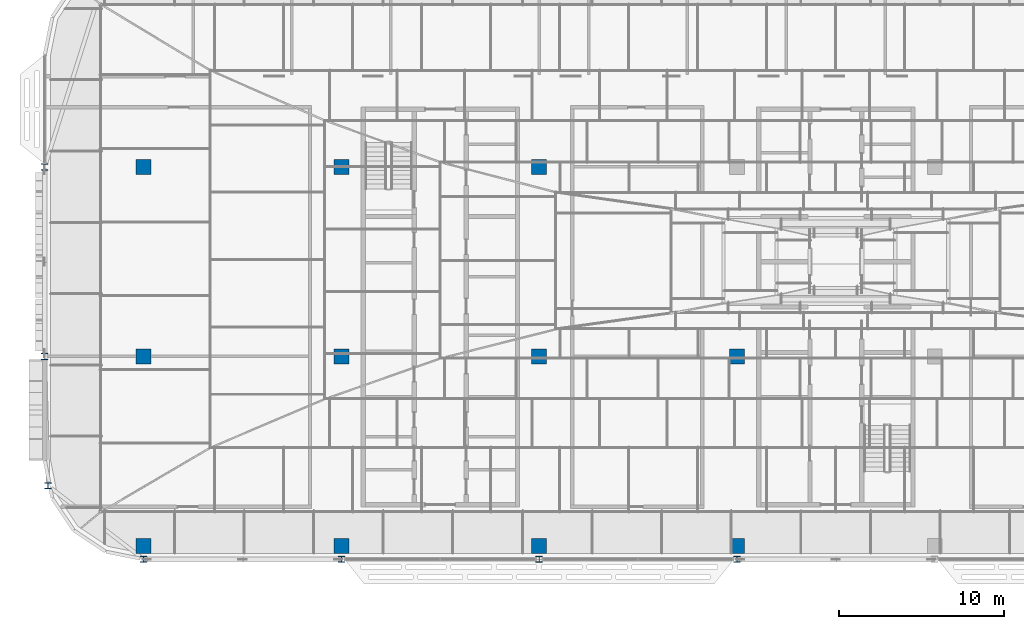
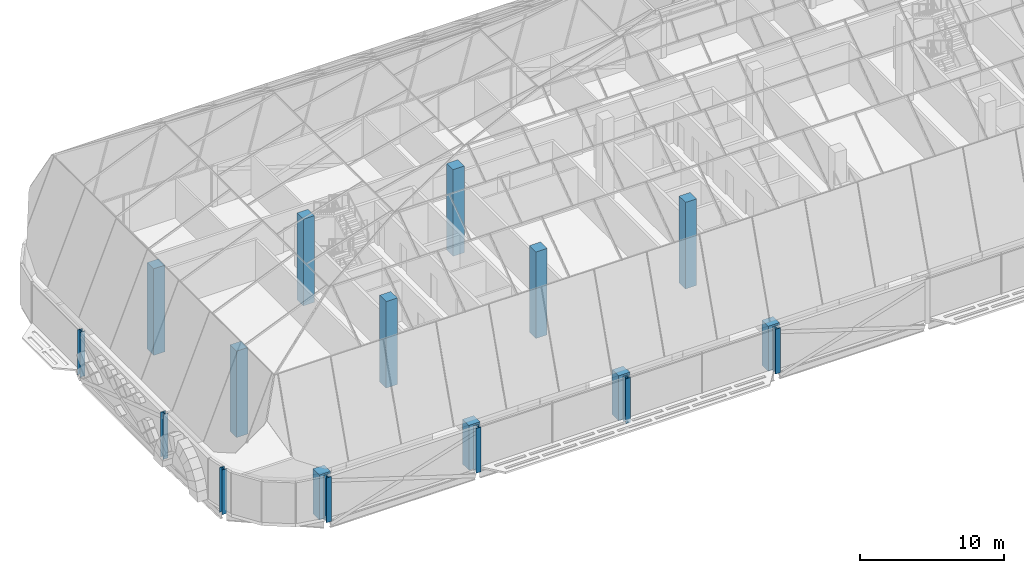
# One storey, part 1 of 39: 18 columns.
"""IFC4 building model written with IfcOpenShell, lengths in metres."""

from ifc_helpers import new_model, si_unit, direction, frame, origin, origin_2d, place, context, subcontext, project, spatial, rectangle, i_section, extrude, material, material_profile, profile_set, type_object, element, save


model = new_model("IFC4")

# Units and contexts
model_context = context("Model", 3, precision=1e-05, world=origin(), true_north=direction((0.0, 1.0)))
body_context = subcontext(model_context, "Body", "Model", "MODEL_VIEW")
ifc_project = project(units=[si_unit("LENGTHUNIT", "METRE"), si_unit("AREAUNIT", "SQUARE_METRE"), si_unit("VOLUMEUNIT", "CUBIC_METRE"), si_unit("PLANEANGLEUNIT", "RADIAN"), si_unit("MASSUNIT", "GRAM", prefix="KILO")], contexts=[model_context])

# Site, building, storey
site_placement = place(None, origin())
site = spatial("IfcSite", under=ifc_project, at=site_placement, CompositionType="ELEMENT")
building_placement = place(site_placement, origin())
building = spatial("IfcBuilding", under=site, at=building_placement, Name="Mahtab Terrace Research Tower", CompositionType="ELEMENT")
storey_placement = place(building_placement, frame((0.0, 0.0, 282.300048828125)))
storey = spatial("IfcBuildingStorey", under=building, at=storey_placement, Name="L69", CompositionType="ELEMENT", Elevation=282.300048828125)

# Columns
ifc_material_1 = material(Name="Concrete C70/85", Category="concrete")
ifc_material_profile_1 = material_profile(ifc_material_1, rectangle(XDim=0.89990234375, YDim=0.89990234375, at=origin_2d()), Name="RC column 900x900")
ifc_profile_set_1 = profile_set([ifc_material_profile_1], Name="Concrete C70/85")
column_type_1 = type_object("IfcColumnType", Name="RC column 900x900", PredefinedType="COLUMN", material=ifc_profile_set_1)
column_1_placement = place(storey_placement, frame((-42.0, -11.5, -0.340087890625), z_axis=(0.0, 0.0, 1.0), x_axis=(1.0, 0.0, 0.0)))
element("IfcColumn", 1, at=column_1_placement, inside=storey, type_object=column_type_1, Name="Column RC-1A L69", PredefinedType="COLUMN", context=body_context, shape_type="SweptSolid", body=[
    extrude(rectangle(XDim=0.89990234375, YDim=0.89990234375, at=origin_2d()), origin(), (0.0, 0.0, 1.0), 3.800048828125),
])
for number, where, z_axis, x_axis, name in (
    (2, (-42.0, 0.0, -0.340087890625), (0.0, 0.0, 1.0), (1.0, 0.0, 0.0), "Column RC-1B L69"),
    (3, (-42.0, 11.5, -0.340087890625), (0.0, 0.0, 1.0), (1.0, 0.0, 0.0), "Column RC-1C L69"),
):
    element("IfcColumn", number, at=place(storey_placement, frame(where, z_axis=z_axis, x_axis=x_axis)), inside=storey, type_object=column_type_1, Name=name, PredefinedType="COLUMN", context=body_context, shape_type="SweptSolid", body=[
        extrude(rectangle(XDim=0.89990234375, YDim=0.89990234375, at=origin_2d()), origin(), (0.0, 0.0, 1.0), 7.340087890625),
    ])
column_2_placement = place(storey_placement, frame((-30.0, -11.5, -0.340087890625), z_axis=(0.0, 0.0, 1.0), x_axis=(1.0, 0.0, 0.0)))
element("IfcColumn", 4, at=column_2_placement, inside=storey, type_object=column_type_1, Name="Column RC-2A L69", PredefinedType="COLUMN", context=body_context, shape_type="SweptSolid", body=[
    extrude(rectangle(XDim=0.89990234375, YDim=0.89990234375, at=origin_2d()), origin(), (0.0, 0.0, 1.0), 3.800048828125),
])
for number, where, z_axis, x_axis, name in (
    (5, (-30.0, 0.0, -0.340087890625), (0.0, 0.0, 1.0), (1.0, 0.0, 0.0), "Column RC-2B L69"),
    (6, (-30.0, 11.5, -0.340087890625), (0.0, 0.0, 1.0), (1.0, 0.0, 0.0), "Column RC-2C L69"),
):
    element("IfcColumn", number, at=place(storey_placement, frame(where, z_axis=z_axis, x_axis=x_axis)), inside=storey, type_object=column_type_1, Name=name, PredefinedType="COLUMN", context=body_context, shape_type="SweptSolid", body=[
        extrude(rectangle(XDim=0.89990234375, YDim=0.89990234375, at=origin_2d()), origin(), (0.0, 0.0, 1.0), 7.340087890625),
    ])
column_3_placement = place(storey_placement, frame((-18.0, -11.5, -0.340087890625), z_axis=(0.0, 0.0, 1.0), x_axis=(1.0, 0.0, 0.0)))
element("IfcColumn", 7, at=column_3_placement, inside=storey, type_object=column_type_1, Name="Column RC-3A L69", PredefinedType="COLUMN", context=body_context, shape_type="SweptSolid", body=[
    extrude(rectangle(XDim=0.89990234375, YDim=0.89990234375, at=origin_2d()), origin(), (0.0, 0.0, 1.0), 3.800048828125),
])
for number, where, z_axis, x_axis, name in (
    (8, (-18.0, 0.0, -0.340087890625), (0.0, 0.0, 1.0), (1.0, 0.0, 0.0), "Column RC-3B L69"),
    (9, (-18.0, 11.5, -0.340087890625), (0.0, 0.0, 1.0), (1.0, 0.0, 0.0), "Column RC-3C L69"),
):
    element("IfcColumn", number, at=place(storey_placement, frame(where, z_axis=z_axis, x_axis=x_axis)), inside=storey, type_object=column_type_1, Name=name, PredefinedType="COLUMN", context=body_context, shape_type="SweptSolid", body=[
        extrude(rectangle(XDim=0.89990234375, YDim=0.89990234375, at=origin_2d()), origin(), (0.0, 0.0, 1.0), 7.340087890625),
    ])
column_4_placement = place(storey_placement, frame((-6.0, -11.5, -0.340087890625), z_axis=(0.0, 0.0, 1.0), x_axis=(1.0, 0.0, 0.0)))
element("IfcColumn", 10, at=column_4_placement, inside=storey, type_object=column_type_1, Name="Column RC-4A L69", PredefinedType="COLUMN", context=body_context, shape_type="SweptSolid", body=[
    extrude(rectangle(XDim=0.89990234375, YDim=0.89990234375, at=origin_2d()), origin(), (0.0, 0.0, 1.0), 3.800048828125),
])
column_5_placement = place(storey_placement, frame((-6.0, 0.0, -0.340087890625), z_axis=(0.0, 0.0, 1.0), x_axis=(1.0, 0.0, 0.0)))
element("IfcColumn", 11, at=column_5_placement, inside=storey, type_object=column_type_1, Name="Column RC-4B L69", PredefinedType="COLUMN", context=body_context, shape_type="SweptSolid", body=[
    extrude(rectangle(XDim=0.89990234375, YDim=0.89990234375, at=origin_2d()), origin(), (0.0, 0.0, 1.0), 7.340087890625),
])
ifc_material_2 = material(Name="Steel ASTM A992 Gr 50", Category="steel")
ifc_material_profile_2 = material_profile(ifc_material_2, i_section(OverallWidth=0.393798828125, OverallDepth=0.3759765625, WebThickness=0.017333984375, FlangeThickness=0.027587890625, at=origin_2d()), Name="W14X145")
ifc_profile_set_2 = profile_set([ifc_material_profile_2], Name="Steel ASTM A992 Gr 50")
column_type_2 = type_object("IfcColumnType", Name="W14x145 column CS14145", PredefinedType="COLUMN", material=ifc_profile_set_2)
for number, where, z_axis, x_axis, name in (
    (12, (-48.0, 11.5, -0.340087890625), (0.0, 0.0, 1.0), (1.0, 0.0, 0.0), "Column SC-009 L69"),
    (13, (-48.0, 0.0, -0.340087890625), (0.0, 0.0, 1.0), (1.0, 0.0, 0.0), "Column SC-010 L69"),
    (14, (-47.798095703125, -7.847900390625, -0.340087890625), (0.0, 0.0, 1.0), (1.0, 0.0, 0.0), "Column SC-080 L69"),
    (15, (-42.0, -12.306884765625, -0.340087890625), (0.0, 0.0, 1.0), (1.0, 0.0, 0.0), "Column SC-081 L69"),
    (16, (-30.0, -12.306884765625, -0.340087890625), (0.0, 0.0, 1.0), (1.0, 0.0, 0.0), "Column SC-082 L69"),
    (17, (-18.0, -12.306884765625, -0.340087890625), (0.0, 0.0, 1.0), (1.0, 0.0, 0.0), "Column SC-083 L69"),
    (18, (-6.0, -12.306884765625, -0.340087890625), (0.0, 0.0, 1.0), (1.0, 0.0, 0.0), "Column SC-084 L69"),
):
    element("IfcColumn", number, at=place(storey_placement, frame(where, z_axis=z_axis, x_axis=x_axis)), inside=storey, type_object=column_type_2, Name=name, PredefinedType="COLUMN", context=body_context, shape_type="SweptSolid", body=[
        extrude(i_section(OverallWidth=0.393798828125, OverallDepth=0.3759765625, WebThickness=0.017333984375, FlangeThickness=0.027587890625, at=origin_2d()), origin(), (0.0, 0.0, 1.0), 3.800048828125),
    ])

save(model, "model.ifc")
